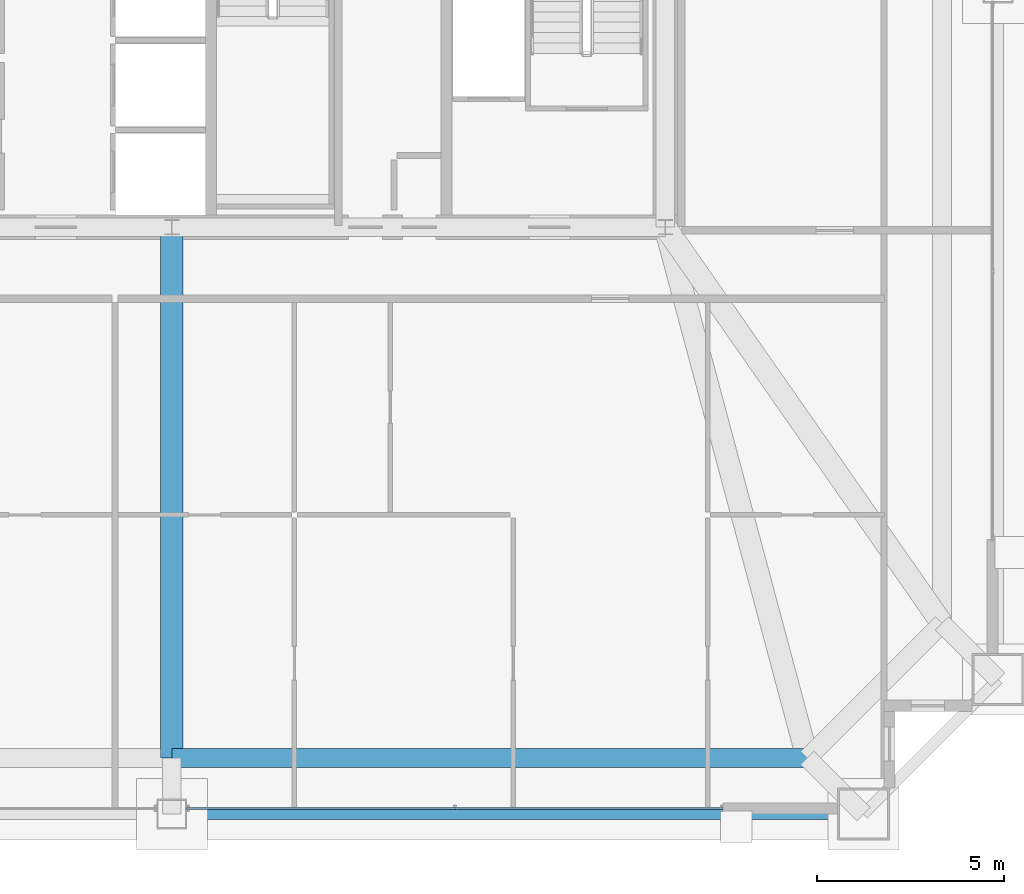
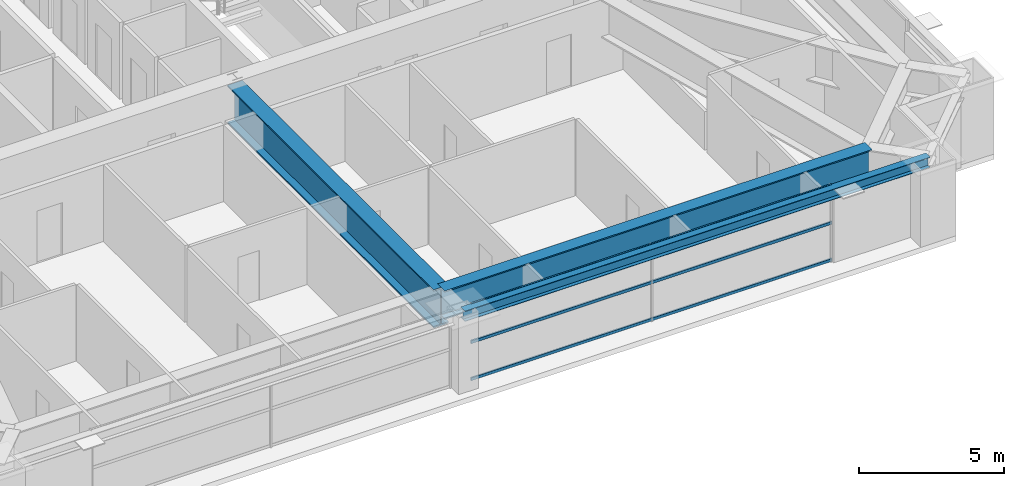
# One storey, part 11 of 39: 3 beams, 3 members, 1 element without a shape of its own.
"""IFC4 building model written with IfcOpenShell, lengths in metres."""

from ifc_helpers import new_model, si_unit, direction, frame, origin, origin_2d, place, context, subcontext, project, spatial, hollow_rectangle, i_section, extrude, source, transform, mapped, material, layer, layer_set, material_profile, profile_set, type_object, element, aggregate, save


model = new_model("IFC4")

# Units and contexts
model_context = context("Model", 3, precision=1e-05, world=origin(), true_north=direction((0.0, 1.0)))
body_context = subcontext(model_context, "Body", "Model", "MODEL_VIEW")
ifc_project = project(units=[si_unit("LENGTHUNIT", "METRE"), si_unit("AREAUNIT", "SQUARE_METRE"), si_unit("VOLUMEUNIT", "CUBIC_METRE"), si_unit("PLANEANGLEUNIT", "RADIAN"), si_unit("MASSUNIT", "GRAM", prefix="KILO"), si_unit("THERMODYNAMICTEMPERATUREUNIT", "KELVIN"), si_unit("POWERUNIT", "WATT")], contexts=[model_context])

# Site, building, storey
site_placement = place(None, origin())
site = spatial("IfcSite", under=ifc_project, at=site_placement, CompositionType="ELEMENT")
building_placement = place(site_placement, origin())
building = spatial("IfcBuilding", under=site, at=building_placement, Name="Yuzanri Waterfront Tower", CompositionType="ELEMENT")
storey_placement = place(building_placement, frame((0.0, 0.0, 216.0)))
storey = spatial("IfcBuildingStorey", under=building, at=storey_placement, Name="L57", CompositionType="ELEMENT", Elevation=216.0)

# Beams
ifc_material_1 = material(Name="Steel Q355B", Category="steel")
ifc_material_profile_1 = material_profile(ifc_material_1, i_section(OverallWidth=0.300048828125, OverallDepth=0.43994140625, WebThickness=0.010986328125, FlangeThickness=0.01806640625, at=origin_2d()), Name="HM 440x300x11x18")
ifc_profile_set_1 = profile_set([ifc_material_profile_1], Name="Steel Q355B")
beam_type_1 = type_object("IfcBeamType", Name="Perimeter Spandrel Q355B HM 440x300", PredefinedType="SPANDREL", material=ifc_profile_set_1)
shared_shape_1 = source(origin(), body_context, "Body", "SweptSolid", [
    extrude(i_section(OverallWidth=0.300048828125, OverallDepth=0.43994140625, WebThickness=0.010986328125, FlangeThickness=0.01806640625, at=origin_2d()), origin(), (0.0, 0.0, 1.0), 18.5),
])
beam_1_placement = place(storey_placement, frame((37.0, 3.699951171875, 3.0), z_axis=(1.0, 0.0, 0.0), x_axis=(0.0, 1.0, 0.0)))
element("IfcBeam", 1, at=beam_1_placement, inside=storey, type_object=beam_type_1, Name="L57 Perimeter Spandrel S2-S3", PredefinedType="SPANDREL", context=body_context, shape_type="MappedRepresentation", body=[
    mapped(shared_shape_1, transform((0.0, 0.0, 0.0), scale=1.0)),
])
ifc_material_2 = material(Name="Steel Q420GJC", Category="steel")
ifc_material_profile_2 = material_profile(ifc_material_2, i_section(OverallWidth=0.60009765625, OverallDepth=1.60009765625, WebThickness=0.031982421875, FlangeThickness=0.06005859375, at=origin_2d()), Name="PG 1600x600x32x60")
ifc_profile_set_2 = profile_set([ifc_material_profile_2], Name="Steel Q420GJC")
beam_type_2 = type_object("IfcBeamType", Name="Ballroom Transfer Girder Q420GJC PG 1600x600", PredefinedType="USERDEFINED", material=ifc_profile_set_2)
shared_shape_2 = source(origin(), body_context, "Body", "SweptSolid", [
    extrude(i_section(OverallWidth=0.60009765625, OverallDepth=1.60009765625, WebThickness=0.031982421875, FlangeThickness=0.06005859375, at=origin_2d()), origin(), (0.0, 0.0, 1.0), 14.199951171875),
])
beam_2_placement = place(storey_placement, frame((37.0, 19.39990234375, 2.419921875), z_axis=(0.0, -1.0, 0.0), x_axis=(1.0, 0.0, 0.0)))
element("IfcBeam", 2, at=beam_2_placement, inside=storey, type_object=beam_type_2, Name="L57 Setback Inner Transfer S2", ObjectType="GIRDER", PredefinedType="USERDEFINED", context=body_context, shape_type="MappedRepresentation", body=[
    mapped(shared_shape_2, transform((0.0, 0.0, 0.0), scale=1.0)),
])
ifc_material_3 = material(Name="Steel Q420GJC", Category="steel")
ifc_material_profile_3 = material_profile(ifc_material_3, i_section(OverallWidth=0.5, OverallDepth=1.199951171875, WebThickness=0.028076171875, FlangeThickness=0.050048828125, at=origin_2d()), Name="PG 1200x500x28x50")
ifc_profile_set_3 = profile_set([ifc_material_profile_3], Name="Steel Q420GJC")
beam_type_3 = type_object("IfcBeamType", Name="Setback Transfer Girder Q420GJC PG 1200x500", PredefinedType="USERDEFINED", material=ifc_profile_set_3)
shared_shape_3 = source(origin(), body_context, "Body", "SweptSolid", [
    extrude(i_section(OverallWidth=0.5, OverallDepth=1.199951171875, WebThickness=0.028076171875, FlangeThickness=0.050048828125, at=origin_2d()), origin(), (0.0, 0.0, 1.0), 17.0),
])
beam_3_placement = place(storey_placement, frame((37.0, 5.199951171875, 2.6201171875), z_axis=(1.0, 0.0, 0.0), x_axis=(0.0, 1.0, 0.0)))
element("IfcBeam", 3, at=beam_3_placement, inside=storey, type_object=beam_type_3, Name="L57 Setback Upper Ring S2-S3", ObjectType="GIRDER", PredefinedType="USERDEFINED", context=body_context, shape_type="MappedRepresentation", body=[
    mapped(shared_shape_3, transform((0.0, 0.0, 0.0), scale=1.0)),
])

# Curtain wall, members
ifc_material_4 = material(Name="Anodized Architectural Bronze", Category="metal")
ifc_layer = layer(ifc_material_4, 0.159912109375)
ifc_layer_set = layer_set([ifc_layer], Name="Anodized Architectural Bronze")
curtain_wall_type = type_object("IfcCurtainWallType", Name="Anodized Bronze Mid-Rise Residential Acoustic Unitized Curtain Wall 7200", PredefinedType="NOTDEFINED", material=ifc_layer_set)
curtain_wall_placement = place(storey_placement, origin())
curtain_wall = element("IfcCurtainWall", 4, at=curtain_wall_placement, inside=storey, type_object=curtain_wall_type, Name="L57 Curtain Wall CW-L57-SR", PredefinedType="NOTDEFINED")
ifc_material_5 = material(Name="Anodized Architectural Bronze", Category="metal")
ifc_material_profile_4 = material_profile(ifc_material_5, hollow_rectangle(XDim=0.06494140625, YDim=0.1201171875, WallThickness=0.00341796875, at=origin_2d()), Name="CWT 65x120")
ifc_profile_set_4 = profile_set([ifc_material_profile_4], Name="Anodized Architectural Bronze")
member_type = type_object("IfcMemberType", Name="Anodized Bronze Secondary Curtain-Wall Transom 65x120", PredefinedType="USERDEFINED", material=ifc_profile_set_4)
shared_shape_4 = source(origin(), body_context, "Body", "SweptSolid", [
    extrude(hollow_rectangle(XDim=0.06494140625, YDim=0.1201171875, WallThickness=0.00341796875, at=origin_2d()), origin(), (0.0, 0.0, 1.0), 14.35009765625),
])
member_1_placement = place(storey_placement, frame((37.39990234375, 3.85009765625, 0.050048828125), z_axis=(1.0, 0.0, 0.0), x_axis=(0.0, 1.0, 0.0)))
member_1 = element("IfcMember", 5, at=member_1_placement, type_object=member_type, Name="CW-L57-SR Transom 1", ObjectType="TRANSOM", PredefinedType="USERDEFINED", context=body_context, shape_type="MappedRepresentation", body=[
    mapped(shared_shape_4, transform((0.0, 0.0, 0.0), scale=1.0)),
])
member_2_placement = place(storey_placement, frame((37.39990234375, 3.85009765625, 1.610107421875), z_axis=(1.0, 0.0, 0.0), x_axis=(0.0, 1.0, 0.0)))
member_2 = element("IfcMember", 6, at=member_2_placement, type_object=member_type, Name="CW-L57-SR Transom 2", ObjectType="TRANSOM", PredefinedType="USERDEFINED", context=body_context, shape_type="MappedRepresentation", body=[
    mapped(shared_shape_4, transform((0.0, 0.0, 0.0), scale=1.0)),
])
member_3_placement = place(storey_placement, frame((37.39990234375, 3.85009765625, 3.169921875), z_axis=(1.0, 0.0, 0.0), x_axis=(0.0, 1.0, 0.0)))
member_3 = element("IfcMember", 7, at=member_3_placement, type_object=member_type, Name="CW-L57-SR Transom 3", ObjectType="TRANSOM", PredefinedType="USERDEFINED", context=body_context, shape_type="MappedRepresentation", body=[
    mapped(shared_shape_4, transform((0.0, 0.0, 0.0), scale=1.0)),
])
aggregate(curtain_wall, [member_1, member_2, member_3])

save(model, "model.ifc")
